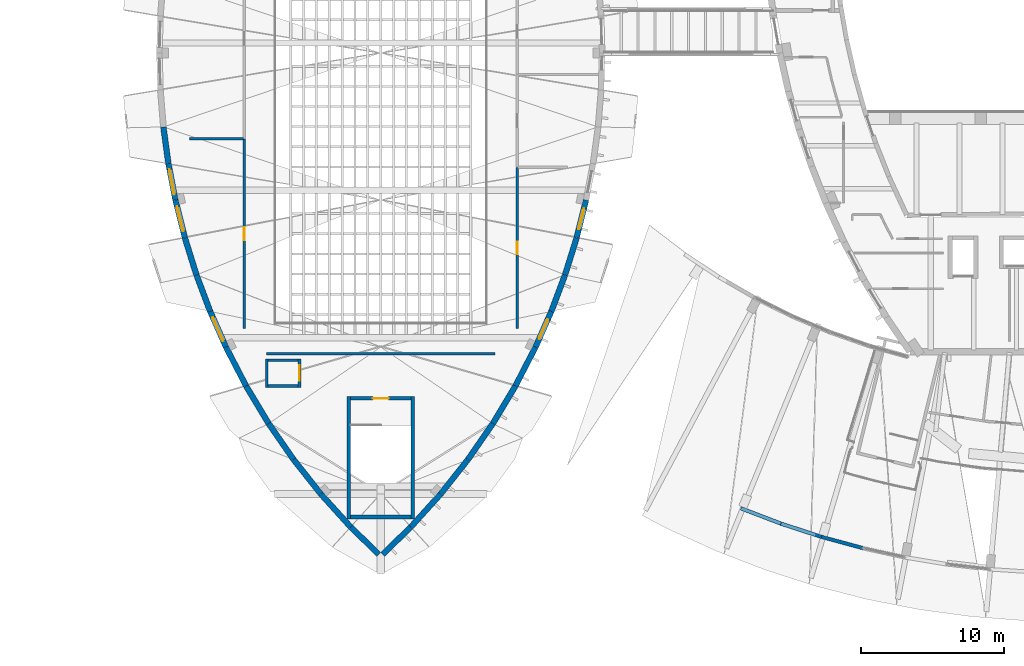
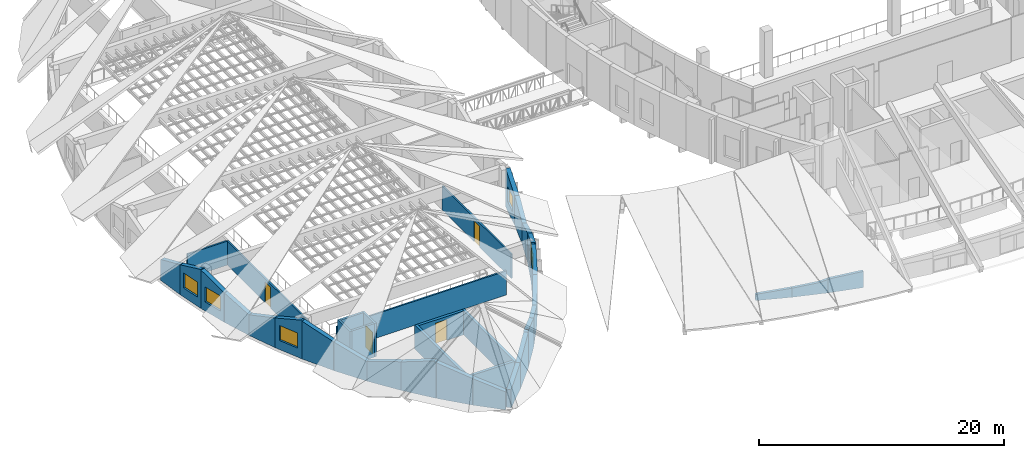
# One storey, part 29 of 56: 37 walls, 5 windows, 4 doors, 9 openings.
"""IFC4 building model written with IfcOpenShell, lengths in metres."""

import ifcopenshell
import ifcopenshell.guid

model = None  # the IFC model being written
_history = None  # IfcOwnerHistory: only IFC2X3 demands one
_inside = {}  # id of a spatial element -> (the spatial element, [elements in it])
_under = {}  # id of a project, library or spatial element -> (it, [spatial elements below it])
_declared = {}  # id of a project -> (the project, [libraries it declares])
_typed = {}  # id of a type object -> (the type object, [elements of that type])
_made_of = {}  # id of a material, layer set ... -> (it, [elements and type objects made of it])


def new_model(schema):
    """Start an empty IFC model of exactly this schema.

    Asked for "IFC4X3", IfcOpenShell would pick the latest addendum, in which some entities
    have other attributes; the version numbers below select the first issue.
    IFC2X3 requires an IfcOwnerHistory on every rooted entity: one is made here for all.
    """
    global model, _history
    if schema == "IFC4X3":
        model = ifcopenshell.file(schema_version=(4, 3, 0, 0))
    else:
        model = ifcopenshell.file(schema=schema)
    _inside.clear()
    _under.clear()
    _declared.clear()
    _typed.clear()
    _made_of.clear()
    _history = None
    if model.schema == "IFC2X3":
        org = make("IfcOrganization", Name="unknown")
        user = make(
            "IfcPersonAndOrganization",
            ThePerson=make("IfcPerson", FamilyName="unknown"),
            TheOrganization=org,
        )
        app = make(
            "IfcApplication",
            ApplicationDeveloper=org,
            Version="unknown",
            ApplicationFullName="unknown",
            ApplicationIdentifier="unknown",
        )
        _history = make(
            "IfcOwnerHistory",
            OwningUser=user,
            OwningApplication=app,
            ChangeAction="ADDED",
            CreationDate=0,
        )
    return model


def make(cls, **values):
    """One entity of the class cls with the attributes given. An attribute that is None is left unset."""
    return model.create_entity(
        cls, **{name: value for name, value in values.items() if value is not None}
    )


def rooted(cls, **values):
    """An entity with a GlobalId (a new one), such as an element, a storey or a relation."""
    return make(cls, GlobalId=ifcopenshell.guid.new(), OwnerHistory=_history, **values)


def si_unit(unit_type, name, prefix=None):
    """IfcSIUnit, for example si_unit("LENGTHUNIT", "METRE", prefix="MILLI")."""
    return make("IfcSIUnit", UnitType=unit_type, Prefix=prefix, Name=name)


def assignment(units):
    """IfcUnitAssignment: the units of a project."""
    return None if units is None else make("IfcUnitAssignment", Units=units)


def point(xyz):
    """IfcCartesianPoint."""
    return None if xyz is None else make("IfcCartesianPoint", Coordinates=xyz)


def direction(xyz):
    """IfcDirection."""
    return None if xyz is None else make("IfcDirection", DirectionRatios=xyz)


def frame(location, z_axis=None, x_axis=None):
    """IfcAxis2Placement3D, a coordinate frame: its origin and axes. An axis left out is left unset."""
    return make(
        "IfcAxis2Placement3D",
        Location=point(location),
        Axis=direction(z_axis),
        RefDirection=direction(x_axis),
    )


def frame_2d(location, x_axis=None):
    """IfcAxis2Placement2D, a coordinate frame in the plane: its origin and x axis."""
    return make(
        "IfcAxis2Placement2D", Location=point(location), RefDirection=direction(x_axis)
    )


def origin():
    """The frame at (0, 0, 0) with its axes left unset."""
    return frame((0.0, 0.0, 0.0))


def place(relative_to, where):
    """IfcLocalPlacement: puts the frame where relative to a parent placement (None: the world)."""
    return make(
        "IfcLocalPlacement", PlacementRelTo=relative_to, RelativePlacement=where
    )


def context(
    kind, dimensions, precision=None, world=None, true_north=None, identifier=None
):
    """IfcGeometricRepresentationContext, for example the 3D "Model" context."""
    return make(
        "IfcGeometricRepresentationContext",
        ContextIdentifier=identifier,
        ContextType=kind,
        CoordinateSpaceDimension=dimensions,
        Precision=precision,
        WorldCoordinateSystem=world,
        TrueNorth=true_north,
    )


def subcontext(parent, identifier, kind, view, scale=None):
    """IfcGeometricRepresentationSubContext, for example "Body" below "Model"."""
    return make(
        "IfcGeometricRepresentationSubContext",
        ContextIdentifier=identifier,
        ContextType=kind,
        ParentContext=parent,
        TargetScale=scale,
        TargetView=view,
    )


def project(units=None, contexts=None):
    """IfcProject with its units and contexts."""
    return rooted(
        "IfcProject",
        Name="project",
        RepresentationContexts=contexts,
        UnitsInContext=assignment(units),
    )


def spatial(cls, under=None, at=None, **own):
    """A site, building, storey or space (cls), placed at a placement, below another one or the project."""
    s = rooted(cls, ObjectPlacement=at, **own)
    if under is not None:
        _under.setdefault(under.id(), (under, []))[1].append(s)
    return s


def polyline(points):
    """IfcPolyline through the points."""
    return make("IfcPolyline", Points=[point(p) for p in points])


def profile(cls, at=None, kind="AREA", **sizes):
    """A parametric profile (cls). Its sizes go by their IFC names, for example OverallWidth=200.0."""
    return make(cls, ProfileType=kind, Position=at, **sizes)


def rectangle(**sizes):
    """IfcRectangleProfileDef."""
    return profile("IfcRectangleProfileDef", **sizes)


def outline(outer, holes=None, kind="AREA"):
    """IfcArbitraryClosedProfileDef: a profile drawn as a closed curve; with holes, ...WithVoids."""
    if holes is None:
        return make("IfcArbitraryClosedProfileDef", ProfileType=kind, OuterCurve=outer)
    return make(
        "IfcArbitraryProfileDefWithVoids",
        ProfileType=kind,
        OuterCurve=outer,
        InnerCurves=holes,
    )


def extrude(swept, where, along, depth):
    """IfcExtrudedAreaSolid: the profile swept, set in the frame where, extruded along a direction by depth."""
    return make(
        "IfcExtrudedAreaSolid",
        SweptArea=swept,
        Position=where,
        ExtrudedDirection=direction(along),
        Depth=depth,
    )


def shape(context_of_items, identifier, shape_type, items):
    """IfcShapeRepresentation: the items that make up one representation, for example the "Body"."""
    return make(
        "IfcShapeRepresentation",
        ContextOfItems=context_of_items,
        RepresentationIdentifier=identifier,
        RepresentationType=shape_type,
        Items=items,
    )


def material(Name=None, Category=None):
    """IfcMaterial."""
    return make("IfcMaterial", Name=Name, Category=Category)


def layer(
    of_material, thickness, ventilated=None, Name=None, Category=None, Priority=None
):
    """IfcMaterialLayer: one layer of a wall or slab, of a material (None: an air gap)."""
    return make(
        "IfcMaterialLayer",
        Material=of_material,
        LayerThickness=thickness,
        IsVentilated=ventilated,
        Name=Name,
        Category=Category,
        Priority=Priority,
    )


def layer_set(layers, Name=None):
    """IfcMaterialLayerSet."""
    return make("IfcMaterialLayerSet", MaterialLayers=layers, LayerSetName=Name)


def made_of(thing, what):
    """Note that an element or type object is made of a material, layer set ...; save() writes the relation."""
    if what is not None:
        _made_of.setdefault(what.id(), (what, []))[1].append(thing)
    return thing


def type_object(cls, material=None, **own):
    """A type object (cls), such as IfcWallType, which elements share."""
    return made_of(rooted(cls, **own), material)


def element(
    cls,
    number,
    at=None,
    inside=None,
    cuts=None,
    type_object=None,
    material=None,
    context=None,
    identifier="Body",
    shape_type=None,
    held_by="IfcProductDefinitionShape",
    body=None,
    shapes=None,
    **own,
):
    """One element of the class cls, such as IfcWall. Its Tag is "e" and its number.

    at: its placement. inside: the storey or other place that contains it. cuts: it is an
    opening in that element (IfcRelVoidsElement). A single representation is given by context,
    identifier, shape_type and body (its items); several are given by shapes. held_by: the class
    of the entity that holds the representations. save() writes the other relations.
    """
    e = rooted(cls, Tag="e%d" % number, ObjectPlacement=at, **own)
    if body is not None:
        shapes = [shape(context, identifier, shape_type, body)]
    if shapes is not None:
        e.Representation = make(held_by, Representations=shapes)
    if inside is not None:
        _inside.setdefault(inside.id(), (inside, []))[1].append(e)
    if cuts is not None:
        rooted(
            "IfcRelVoidsElement", RelatingBuildingElement=cuts, RelatedOpeningElement=e
        )
    if type_object is not None:
        _typed.setdefault(type_object.id(), (type_object, []))[1].append(e)
    return made_of(e, material)


def fill(opening, filler):
    """IfcRelFillsElement: the door or window that sits in an opening."""
    return rooted(
        "IfcRelFillsElement",
        RelatingOpeningElement=opening,
        RelatedBuildingElement=filler,
    )


def aggregate(whole, parts):
    """IfcRelAggregates: a whole, such as a stair, and the parts it consists of."""
    return rooted("IfcRelAggregates", RelatingObject=whole, RelatedObjects=parts)


def save(model, path):
    """Write the relations noted so far, then the file.

    IfcRelAggregates (storeys below a building ...), IfcRelContainedInSpatialStructure (elements
    in a storey), IfcRelDefinesByType, IfcRelAssociatesMaterial and IfcRelDeclares: one each for
    every whole, place, type object, material and project.
    """
    for whole, parts in _under.values():
        aggregate(whole, parts)
    for where, things in _inside.values():
        rooted(
            "IfcRelContainedInSpatialStructure",
            RelatedElements=things,
            RelatingStructure=where,
        )
    for kind, things in _typed.values():
        rooted("IfcRelDefinesByType", RelatedObjects=things, RelatingType=kind)
    for what, things in _made_of.values():
        rooted("IfcRelAssociatesMaterial", RelatedObjects=things, RelatingMaterial=what)
    for by, libraries in _declared.values():
        rooted("IfcRelDeclares", RelatingContext=by, RelatedDefinitions=libraries)
    model.write(path)


model = new_model("IFC4")

# Units and contexts
model_context = context("Model", 3, precision=1e-05, world=origin(), true_north=direction((0.0, 1.0)))
body_context = subcontext(model_context, "Body", "Model", "MODEL_VIEW")
ifc_project = project(units=[si_unit("LENGTHUNIT", "METRE"), si_unit("AREAUNIT", "SQUARE_METRE"), si_unit("VOLUMEUNIT", "CUBIC_METRE"), si_unit("PLANEANGLEUNIT", "RADIAN"), si_unit("MASSUNIT", "GRAM", prefix="KILO")], contexts=[model_context])

# Site, building, storey
site_placement = place(None, origin())
site = spatial("IfcSite", under=ifc_project, at=site_placement, CompositionType="ELEMENT")
building_placement = place(site_placement, origin())
building = spatial("IfcBuilding", under=site, at=building_placement, Name="Tide Square Theatres", CompositionType="ELEMENT")
storey_placement = place(building_placement, frame((0.0, 0.0, 10.199951171875)))
storey = spatial("IfcBuildingStorey", under=building, at=storey_placement, Name="L02", CompositionType="ELEMENT", Elevation=10.199951171875)

# Wall
ifc_material_1 = material(Name="Gypsum board on steel studs", Category="steel")
ifc_layer_1 = layer(ifc_material_1, 0.14990234375)
ifc_layer_set_1 = layer_set([ifc_layer_1], Name="Gypsum board on steel studs")
wall_type_1 = type_object("IfcWallType", Name="Partition 150 thick", PredefinedType="PARTITIONING", material=ifc_layer_set_1)
wall_1_placement = place(storey_placement, frame((43.97998046875, 23.449951171875, 0.0), z_axis=(0.0, 0.0, 1.0), x_axis=(-1.0, 0.0, 0.0)))
element("IfcWall", 1, at=wall_1_placement, inside=storey, type_object=wall_type_1, Name="Studio Theatre partition", PredefinedType="PARTITIONING", context=body_context, shape_type="SweptSolid", body=[
    extrude(rectangle(XDim=15.9599609375, YDim=0.14990234375, at=frame_2d((7.97998046875, 0.0))), origin(), (0.0, 0.0, 1.0), 2.400146484375),
])

# Wall, opening, door
wall_2_placement = place(storey_placement, frame((26.449951171875, 25.214599609375, 0.0), z_axis=(0.0, 0.0, 1.0), x_axis=(0.0, 1.0, 0.0)))
wall_2 = element("IfcWall", 2, at=wall_2_placement, inside=storey, type_object=wall_type_1, Name="Studio Theatre partition", PredefinedType="PARTITIONING", context=body_context, shape_type="SweptSolid", body=[
    extrude(rectangle(XDim=13.265380859375, YDim=0.14990234375, at=frame_2d((6.6328125, 0.0))), origin(), (0.0, 0.0, 1.0), 2.400146484375),
])
opening_1_placement = place(wall_2_placement, frame((6.1826171875, 0.0, 0.0)))
opening_1 = element("IfcOpeningElement", 3, at=opening_1_placement, cuts=wall_2, Name="Opening S02-02", PredefinedType="OPENING", context=body_context, shape_type="SweptSolid", body=[
    extrude(rectangle(XDim=0.89990234375, YDim=2.10009765625, at=frame_2d((0.449951171875, 1.050048828125))), frame((0.0, 0.0849609375, 0.0), z_axis=(0.0, -1.0, 0.0), x_axis=(1.0, 0.0, 0.0)), (0.0, 0.0, 1.0), 0.169921875),
])
ifc_material_2 = material(Name="Hardwood timber", Category="wood")
door_type_1 = type_object("IfcDoorType", Name="Door 900 x 2100 single leaf", OperationType="NOTDEFINED", PredefinedType="DOOR", material=ifc_material_2)
door_1_placement = place(opening_1_placement, origin())
door_1 = element("IfcDoor", 4, at=door_1_placement, inside=storey, type_object=door_type_1, Name="Learning Studio 03 door", OperationType="SINGLE_SWING_RIGHT", OverallHeight=2.10009765625, OverallWidth=0.89990234375, PredefinedType="DOOR", context=body_context, shape_type="SweptSolid", body=[
    extrude(rectangle(XDim=0.89990234375, YDim=2.10009765625, at=frame_2d((0.449951171875, 1.050048828125))), frame((0.0, 0.02490234375, 0.0), z_axis=(0.0, -1.0, 0.0), x_axis=(1.0, 0.0, 0.0)), (0.0, 0.0, 1.0), 0.050048828125),
])
fill(opening_1, door_1)

wall_3_placement = place(storey_placement, frame((45.550048828125, 36.47998046875, 0.0), z_axis=(0.0, 0.0, 1.0), x_axis=(0.0, -1.0, 0.0)))
wall_3 = element("IfcWall", 5, at=wall_3_placement, inside=storey, type_object=wall_type_1, Name="Studio Theatre partition", PredefinedType="PARTITIONING", context=body_context, shape_type="SweptSolid", body=[
    extrude(rectangle(XDim=11.265380859375, YDim=0.14990234375, at=frame_2d((5.6328125, 0.0))), origin(), (0.0, 0.0, 1.0), 2.400146484375),
])
opening_2_placement = place(wall_3_placement, frame((5.1826171875, 0.0, 0.0)))
opening_2 = element("IfcOpeningElement", 6, at=opening_2_placement, cuts=wall_3, Name="Opening S02-05", PredefinedType="OPENING", context=body_context, shape_type="SweptSolid", body=[
    extrude(rectangle(XDim=0.89990234375, YDim=2.10009765625, at=frame_2d((0.449951171875, 1.050048828125))), frame((0.0, 0.0849609375, 0.0), z_axis=(0.0, -1.0, 0.0), x_axis=(1.0, 0.0, 0.0)), (0.0, 0.0, 1.0), 0.169921875),
])
door_2_placement = place(opening_2_placement, origin())
door_2 = element("IfcDoor", 7, at=door_2_placement, inside=storey, type_object=door_type_1, Name="Costume Room door", OperationType="SINGLE_SWING_RIGHT", OverallHeight=2.10009765625, OverallWidth=0.89990234375, PredefinedType="DOOR", context=body_context, shape_type="SweptSolid", body=[
    extrude(rectangle(XDim=0.89990234375, YDim=2.10009765625, at=frame_2d((0.449951171875, 1.050048828125))), frame((0.0, 0.02490234375, 0.0), z_axis=(0.0, -1.0, 0.0), x_axis=(1.0, 0.0, 0.0)), (0.0, 0.0, 1.0), 0.050048828125),
])
fill(opening_2, door_2)

# Walls
wall_4_placement = place(storey_placement, frame((22.615966796875, 38.5, 0.0), z_axis=(0.0, 0.0, 1.0), x_axis=(1.0, 0.0, 0.0)))
element("IfcWall", 8, at=wall_4_placement, inside=storey, type_object=wall_type_1, Name="Studio Theatre partition", PredefinedType="PARTITIONING", context=body_context, shape_type="SweptSolid", body=[
    extrude(rectangle(XDim=3.77392578125, YDim=0.14990234375, at=frame_2d((1.886962890625, 0.0))), origin(), (0.0, 0.0, 1.0), 2.400146484375),
])
ifc_material_3 = material(Name="Concrete C40", Category="concrete")
ifc_layer_2 = layer(ifc_material_3, 0.39990234375)
ifc_layer_set_2 = layer_set([ifc_layer_2], Name="Concrete C40")
wall_type_2 = type_object("IfcWallType", Name="RC curved wall 400 thick", PredefinedType="SOLIDWALL", material=ifc_layer_set_2)
wall_5_placement = place(storey_placement, frame((36.139404296875, 9.414306640625, 0.0), z_axis=(0.0, 0.0, 1.0), x_axis=(0.717243568607, 0.696822547922, 0.0)))
element("IfcWall", 9, at=wall_5_placement, inside=storey, type_object=wall_type_2, Name="Studio Theatre perimeter wall", PredefinedType="SOLIDWALL", context=body_context, shape_type="SweptSolid", body=[
    extrude(outline(polyline([(0.0, 0.0), (2.725830078125, 0.0), (2.725830078125, 2.64111328125), (0.130615234375, 1.843017578125), (0.0, 1.802734375), (0.0, 0.0)])), frame((0.0, 0.199951171875, 0.0), z_axis=(0.0, -1.0, 0.0), x_axis=(1.0, 0.0, 0.0)), (0.0, 0.0, 1.0), 0.39990234375),
])
wall_6_placement = place(storey_placement, frame((38.103515625, 11.322998046875, 0.0), z_axis=(0.0, 0.0, 1.0), x_axis=(0.67038553216, 0.742012963681, 0.0)))
element("IfcWall", 10, at=wall_6_placement, inside=storey, type_object=wall_type_2, Name="Studio Theatre perimeter wall", PredefinedType="SOLIDWALL", context=body_context, shape_type="SweptSolid", body=[
    extrude(outline(polyline([(0.0, 0.0), (3.101806640625, 0.0), (3.1015625, 3.546142578125), (2.919677734375, 3.49365234375), (2.739013671875, 3.44140625), (0.0, 2.64990234375), (0.0, 0.0)])), frame((0.0, 0.199951171875, 0.0), z_axis=(0.0, -1.0, 0.0), x_axis=(1.0, 0.0, 0.0)), (0.0, 0.0, 1.0), 0.39990234375),
])
wall_7_placement = place(storey_placement, frame((40.191162109375, 13.63427734375, 0.0), z_axis=(0.0, 0.0, 1.0), x_axis=(0.620958553355, 0.783843399548, 0.0)))
element("IfcWall", 11, at=wall_7_placement, inside=storey, type_object=wall_type_2, Name="Studio Theatre perimeter wall", PredefinedType="SOLIDWALL", context=body_context, shape_type="SweptSolid", body=[
    extrude(outline(polyline([(0.0, 0.0), (3.0576171875, 0.0), (3.0576171875, 2.844482421875), (2.718505859375, 2.94384765625), (0.330322265625, 3.643798828125), (0.171875, 3.690185546875), (0.0, 3.557373046875), (0.0, 0.0)])), frame((0.0, 0.199951171875, 0.0), z_axis=(0.0, -1.0, 0.0), x_axis=(1.0, 0.0, 0.0)), (0.0, 0.0, 1.0), 0.39990234375),
])
wall_8_placement = place(storey_placement, frame((42.09765625, 16.04150390625, 0.0), z_axis=(0.0, 0.0, 1.0), x_axis=(0.569371892655, 0.822080073871, 0.0)))
element("IfcWall", 12, at=wall_8_placement, inside=storey, type_object=wall_type_2, Name="Studio Theatre perimeter wall", PredefinedType="SOLIDWALL", context=body_context, shape_type="SweptSolid", body=[
    extrude(outline(polyline([(0.0, 0.0), (3.0576171875, 0.0), (3.057861328125, 1.9677734375), (2.59619140625, 2.10302734375), (0.29296875, 2.76904296875), (0.0, 2.837646484375), (0.0, 0.0)])), frame((0.0, 0.199951171875, 0.0), z_axis=(0.0, -1.0, 0.0), x_axis=(1.0, 0.0, 0.0)), (0.0, 0.0, 1.0), 0.39990234375),
])
wall_9_placement = place(storey_placement, frame((43.845703125, 18.56591796875, 0.0), z_axis=(0.0, 0.0, 1.0), x_axis=(0.515387841983, 0.856957042293, 0.0)))
element("IfcWall", 13, at=wall_9_placement, inside=storey, type_object=wall_type_2, Name="Studio Theatre perimeter wall", PredefinedType="SOLIDWALL", context=body_context, shape_type="SweptSolid", body=[
    extrude(outline(polyline([(0.0, 0.0), (3.057861328125, 0.0), (3.057861328125, 2.84326171875), (3.010986328125, 2.82958984375), (0.0, 1.96435546875), (0.0, 0.0)])), frame((0.0, 0.199951171875, 0.0), z_axis=(0.0, -1.0, 0.0), x_axis=(1.0, 0.0, 0.0)), (0.0, 0.0, 1.0), 0.39990234375),
])
wall_10_placement = place(storey_placement, frame((45.427978515625, 21.197509765625, 0.0), z_axis=(0.0, 0.0, 1.0), x_axis=(0.45930565039, 0.888278289457, 0.0)))
element("IfcWall", 14, at=wall_10_placement, inside=storey, type_object=wall_type_2, Name="Studio Theatre perimeter wall", PredefinedType="SOLIDWALL", context=body_context, shape_type="SweptSolid", body=[
    extrude(outline(polyline([(0.0, 0.0), (3.05859375, 0.0), (3.05859375, 3.75390625), (2.94970703125, 3.72216796875), (2.846435546875, 3.691650390625), (0.0, 2.85107421875), (0.0, 0.0)])), frame((0.0, 0.199951171875, 0.0), z_axis=(0.0, -1.0, 0.0), x_axis=(1.0, 0.0, 0.0)), (0.0, 0.0, 1.0), 0.39990234375),
])

# Wall, opening, window
wall_11_placement = place(storey_placement, frame((46.837890625, 23.92529296875, 0.0), z_axis=(0.0, 0.0, 1.0), x_axis=(0.404652153757, 0.914470685402, 0.0)))
wall_11 = element("IfcWall", 15, at=wall_11_placement, inside=storey, type_object=wall_type_2, Name="Studio Theatre perimeter wall", PredefinedType="SOLIDWALL", context=body_context, shape_type="SweptSolid", body=[
    extrude(outline(polyline([(0.0, 0.0), (2.7138671875, 0.0), (2.713623046875, 2.954833984375), (2.57568359375, 3.000244140625), (0.194091796875, 3.786865234375), (0.10546875, 3.816162109375), (0.0, 3.7626953125), (0.0, 0.0)])), frame((0.0, 0.199951171875, 0.0), z_axis=(0.0, -1.0, 0.0), x_axis=(1.0, 0.0, 0.0)), (0.0, 0.0, 1.0), 0.39990234375),
])
opening_3_placement = place(wall_11_placement, frame((0.606689453125, 0.0, 0.89990234375)))
opening_3 = element("IfcOpeningElement", 16, at=opening_3_placement, cuts=wall_11, Name="Opening WN-08", PredefinedType="OPENING", context=body_context, shape_type="SweptSolid", body=[
    extrude(rectangle(XDim=1.5, YDim=1.5, at=frame_2d((0.75, 0.75))), frame((0.0, 0.2099609375, 0.0), z_axis=(0.0, -1.0, 0.0), x_axis=(1.0, 0.0, 0.0)), (0.0, 0.0, 1.0), 0.419921875),
])
ifc_material_4 = material(Name="Aluminium with laminated glass", Category="aluminium")
window_type_1 = type_object("IfcWindowType", Name="Window 1500 x 1500", PartitioningType="SINGLE_PANEL", PredefinedType="WINDOW", material=ifc_material_4)
window_1_placement = place(opening_3_placement, origin())
window_1 = element("IfcWindow", 17, at=window_1_placement, inside=storey, type_object=window_type_1, Name="Studio Theatre Costume Room window", OverallHeight=1.5, OverallWidth=1.5, PartitioningType="SINGLE_PANEL", PredefinedType="WINDOW", context=body_context, shape_type="SweptSolid", body=[
    extrude(rectangle(XDim=1.5, YDim=1.5, at=frame_2d((0.75, 0.75))), frame((0.0, 0.030029296875, 0.0), z_axis=(0.0, -1.0, 0.0), x_axis=(1.0, 0.0, 0.0)), (0.0, 0.0, 1.0), 0.06005859375),
])
fill(opening_3, window_1)

# Walls
wall_12_placement = place(storey_placement, frame((47.9404296875, 26.41748046875, 0.0), z_axis=(0.0, 0.0, 1.0), x_axis=(0.351862601417, 0.936051659752, 0.0)))
element("IfcWall", 18, at=wall_12_placement, inside=storey, type_object=wall_type_2, Name="Studio Theatre perimeter wall", PredefinedType="SOLIDWALL", context=body_context, shape_type="SweptSolid", body=[
    extrude(outline(polyline([(0.0, 0.0), (2.71435546875, 0.0), (2.71435546875, 2.055419921875), (2.540283203125, 2.11279296875), (0.12109375, 2.91162109375), (0.0, 2.947509765625), (0.0, 0.0)])), frame((0.0, 0.199951171875, 0.0), z_axis=(0.0, -1.0, 0.0), x_axis=(1.0, 0.0, 0.0)), (0.0, 0.0, 1.0), 0.39990234375),
])
wall_13_placement = place(storey_placement, frame((48.899169921875, 28.968994140625, 0.0), z_axis=(0.0, 0.0, 1.0), x_axis=(0.29795748067, 0.954579142718, 0.0)))
element("IfcWall", 19, at=wall_13_placement, inside=storey, type_object=wall_type_2, Name="Studio Theatre perimeter wall", PredefinedType="SOLIDWALL", context=body_context, shape_type="SweptSolid", body=[
    extrude(outline(polyline([(0.0, 0.0), (2.714599609375, 0.0), (2.71435546875, 2.9296875), (2.697509765625, 2.924072265625), (0.0, 2.0517578125), (0.0, 0.0)])), frame((0.0, 0.199951171875, 0.0), z_axis=(0.0, -1.0, 0.0), x_axis=(1.0, 0.0, 0.0)), (0.0, 0.0, 1.0), 0.39990234375),
])

# Wall, opening, window
wall_14_placement = place(storey_placement, frame((49.7109375, 31.5712890625, 0.0), z_axis=(0.0, 0.0, 1.0), x_axis=(0.2430011368, 0.970026003525, 0.0)))
wall_14 = element("IfcWall", 20, at=wall_14_placement, inside=storey, type_object=wall_type_2, Name="Studio Theatre perimeter wall", PredefinedType="SOLIDWALL", context=body_context, shape_type="SweptSolid", body=[
    extrude(outline(polyline([(0.0, 0.0), (2.714599609375, 0.0), (2.714599609375, 3.836181640625), (2.68701171875, 3.8271484375), (2.636962890625, 3.810546875), (2.5869140625, 3.7939453125), (0.0, 2.9375), (0.0, 0.0)])), frame((0.0, 0.199951171875, 0.0), z_axis=(0.0, -1.0, 0.0), x_axis=(1.0, 0.0, 0.0)), (0.0, 0.0, 1.0), 0.39990234375),
])
opening_4_placement = place(wall_14_placement, frame((0.607421875, 0.0, 0.89990234375)))
opening_4 = element("IfcOpeningElement", 21, at=opening_4_placement, cuts=wall_14, Name="Opening WN-08", PredefinedType="OPENING", context=body_context, shape_type="SweptSolid", body=[
    extrude(rectangle(XDim=1.5, YDim=1.5, at=frame_2d((0.75, 0.75))), frame((0.0, 0.2099609375, 0.0), z_axis=(0.0, -1.0, 0.0), x_axis=(1.0, 0.0, 0.0)), (0.0, 0.0, 1.0), 0.419921875),
])
window_2_placement = place(opening_4_placement, origin())
window_2 = element("IfcWindow", 22, at=window_2_placement, inside=storey, type_object=window_type_1, Name="Studio Theatre Costume Room window", OverallHeight=1.5, OverallWidth=1.5, PartitioningType="SINGLE_PANEL", PredefinedType="WINDOW", context=body_context, shape_type="SweptSolid", body=[
    extrude(rectangle(XDim=1.5, YDim=1.5, at=frame_2d((0.75, 0.75))), frame((0.0, 0.030029296875, 0.0), z_axis=(0.0, -1.0, 0.0), x_axis=(1.0, 0.0, 0.0)), (0.0, 0.0, 1.0), 0.06005859375),
])
fill(opening_4, window_2)

# Wall
wall_15_placement = place(storey_placement, frame((20.788818359375, 39.319091796875, 0.0), z_axis=(0.0, 0.0, 1.0), x_axis=(0.13522291824, -0.990815200924, 0.0)))
element("IfcWall", 23, at=wall_15_placement, inside=storey, type_object=wall_type_2, Name="Studio Theatre perimeter wall", PredefinedType="SOLIDWALL", context=body_context, shape_type="SweptSolid", body=[
    extrude(outline(polyline([(0.0, 0.0), (2.581787109375, 0.0), (2.581787109375, 2.9765625), (2.524169921875, 2.957275390625), (0.09375, 2.113525390625), (0.0, 2.0810546875), (0.0, 0.0)])), frame((0.0, 0.199951171875, 0.0), z_axis=(0.0, -1.0, 0.0), x_axis=(1.0, 0.0, 0.0)), (0.0, 0.0, 1.0), 0.39990234375),
])

# Wall, opening, window
wall_16_placement = place(storey_placement, frame((21.1396484375, 36.75048828125, 0.0), z_axis=(0.0, 0.0, 1.0), x_axis=(0.188763210152, -0.982022632373, 0.0)))
wall_16 = element("IfcWall", 24, at=wall_16_placement, inside=storey, type_object=wall_type_2, Name="Studio Theatre perimeter wall", PredefinedType="SOLIDWALL", context=body_context, shape_type="SweptSolid", body=[
    extrude(outline(polyline([(0.0, 0.0), (2.58154296875, 0.0), (2.581298828125, 3.844970703125), (2.543212890625, 3.86669921875), (2.46630859375, 3.840087890625), (0.06982421875, 3.008056640625), (0.0, 2.98388671875), (0.0, 0.0)])), frame((0.0, 0.199951171875, 0.0), z_axis=(0.0, -1.0, 0.0), x_axis=(1.0, 0.0, 0.0)), (0.0, 0.0, 1.0), 0.39990234375),
])
opening_5_placement = place(wall_16_placement, frame((0.390625, 0.0, 0.89990234375)))
opening_5 = element("IfcOpeningElement", 25, at=opening_5_placement, cuts=wall_16, Name="Opening WN-15", PredefinedType="OPENING", context=body_context, shape_type="SweptSolid", body=[
    extrude(rectangle(XDim=1.800048828125, YDim=1.5, at=frame_2d((0.89990234375, 0.75))), frame((0.0, 0.2099609375, 0.0), z_axis=(0.0, -1.0, 0.0), x_axis=(1.0, 0.0, 0.0)), (0.0, 0.0, 1.0), 0.419921875),
])
ifc_material_5 = material(Name="Aluminium with laminated glass", Category="aluminium")
window_type_2 = type_object("IfcWindowType", Name="Window 1800 x 1500", PartitioningType="DOUBLE_PANEL_VERTICAL", PredefinedType="WINDOW", material=ifc_material_5)
window_3_placement = place(opening_5_placement, origin())
window_3 = element("IfcWindow", 26, at=window_3_placement, inside=storey, type_object=window_type_2, Name="Studio Theatre Learning Studio 03 window", OverallHeight=1.5, OverallWidth=1.800048828125, PartitioningType="SINGLE_PANEL", PredefinedType="WINDOW", context=body_context, shape_type="SweptSolid", body=[
    extrude(rectangle(XDim=1.800048828125, YDim=1.5, at=frame_2d((0.89990234375, 0.75))), frame((0.0, 0.030029296875, 0.0), z_axis=(0.0, -1.0, 0.0), x_axis=(1.0, 0.0, 0.0)), (0.0, 0.0, 1.0), 0.06005859375),
])
fill(opening_5, window_3)

wall_17_placement = place(storey_placement, frame((21.62939453125, 34.20458984375, 0.0), z_axis=(0.0, 0.0, 1.0), x_axis=(0.2430011368, -0.970026003525, 0.0)))
wall_17 = element("IfcWall", 27, at=wall_17_placement, inside=storey, type_object=wall_type_2, Name="Studio Theatre perimeter wall", PredefinedType="SOLIDWALL", context=body_context, shape_type="SweptSolid", body=[
    extrude(outline(polyline([(0.0, 0.0), (2.714599609375, 0.0), (2.714599609375, 2.938720703125), (0.127685546875, 3.7939453125), (0.07763671875, 3.810546875), (0.0, 3.836181640625), (0.0, 0.0)])), frame((0.0, 0.199951171875, 0.0), z_axis=(0.0, -1.0, 0.0), x_axis=(1.0, 0.0, 0.0)), (0.0, 0.0, 1.0), 0.39990234375),
])
opening_6_placement = place(wall_17_placement, frame((0.45751953125, 0.0, 0.89990234375)))
opening_6 = element("IfcOpeningElement", 28, at=opening_6_placement, cuts=wall_17, Name="Opening WN-15", PredefinedType="OPENING", context=body_context, shape_type="SweptSolid", body=[
    extrude(rectangle(XDim=1.800048828125, YDim=1.5, at=frame_2d((0.89990234375, 0.75))), frame((0.0, 0.2099609375, 0.0), z_axis=(0.0, -1.0, 0.0), x_axis=(1.0, 0.0, 0.0)), (0.0, 0.0, 1.0), 0.419921875),
])
window_4_placement = place(opening_6_placement, origin())
window_4 = element("IfcWindow", 29, at=window_4_placement, inside=storey, type_object=window_type_2, Name="Studio Theatre Learning Studio 03 window", OverallHeight=1.5, OverallWidth=1.800048828125, PartitioningType="SINGLE_PANEL", PredefinedType="WINDOW", context=body_context, shape_type="SweptSolid", body=[
    extrude(rectangle(XDim=1.800048828125, YDim=1.5, at=frame_2d((0.89990234375, 0.75))), frame((0.0, 0.030029296875, 0.0), z_axis=(0.0, -1.0, 0.0), x_axis=(1.0, 0.0, 0.0)), (0.0, 0.0, 1.0), 0.06005859375),
])
fill(opening_6, window_4)

# Walls
wall_18_placement = place(storey_placement, frame((22.2919921875, 31.560302734375, 0.0), z_axis=(0.0, 0.0, 1.0), x_axis=(0.29795748067, -0.954579142718, 0.0)))
element("IfcWall", 30, at=wall_18_placement, inside=storey, type_object=wall_type_2, Name="Studio Theatre perimeter wall", PredefinedType="SOLIDWALL", context=body_context, shape_type="SweptSolid", body=[
    extrude(outline(polyline([(0.0, 0.0), (2.714599609375, 0.0), (2.71435546875, 2.04833984375), (2.702392578125, 2.044677734375), (0.0, 2.9296875), (0.0, 0.0)])), frame((0.0, 0.199951171875, 0.0), z_axis=(0.0, -1.0, 0.0), x_axis=(1.0, 0.0, 0.0)), (0.0, 0.0, 1.0), 0.39990234375),
])
wall_19_placement = place(storey_placement, frame((23.1044921875, 28.958251953125, 0.0), z_axis=(0.0, 0.0, 1.0), x_axis=(0.351862601417, -0.936051659752, 0.0)))
element("IfcWall", 31, at=wall_19_placement, inside=storey, type_object=wall_type_2, Name="Studio Theatre perimeter wall", PredefinedType="SOLIDWALL", context=body_context, shape_type="SweptSolid", body=[
    extrude(outline(polyline([(0.0, 0.0), (2.71435546875, 0.0), (2.71435546875, 2.947509765625), (2.59326171875, 2.91162109375), (0.174072265625, 2.11279296875), (0.0, 2.055419921875), (0.0, 0.0)])), frame((0.0, 0.199951171875, 0.0), z_axis=(0.0, -1.0, 0.0), x_axis=(1.0, 0.0, 0.0)), (0.0, 0.0, 1.0), 0.39990234375),
])

# Wall, opening, window
wall_20_placement = place(storey_placement, frame((24.06396484375, 26.406982421875, 0.0), z_axis=(0.0, 0.0, 1.0), x_axis=(0.404652153757, -0.914470685402, 0.0)))
wall_20 = element("IfcWall", 32, at=wall_20_placement, inside=storey, type_object=wall_type_2, Name="Studio Theatre perimeter wall", PredefinedType="SOLIDWALL", context=body_context, shape_type="SweptSolid", body=[
    extrude(outline(polyline([(0.0, 0.0), (2.7138671875, 0.0), (2.713623046875, 3.76171875), (2.69677734375, 3.767333984375), (2.608154296875, 3.816162109375), (2.519775390625, 3.786865234375), (0.1376953125, 3.000244140625), (0.0, 2.954833984375), (0.0, 0.0)])), frame((0.0, 0.199951171875, 0.0), z_axis=(0.0, -1.0, 0.0), x_axis=(1.0, 0.0, 0.0)), (0.0, 0.0, 1.0), 0.39990234375),
])
opening_7_placement = place(wall_20_placement, frame((0.456787109375, 0.0, 0.89990234375)))
opening_7 = element("IfcOpeningElement", 33, at=opening_7_placement, cuts=wall_20, Name="Opening WN-15", PredefinedType="OPENING", context=body_context, shape_type="SweptSolid", body=[
    extrude(rectangle(XDim=1.800048828125, YDim=1.5, at=frame_2d((0.89990234375, 0.75))), frame((0.0, 0.2099609375, 0.0), z_axis=(0.0, -1.0, 0.0), x_axis=(1.0, 0.0, 0.0)), (0.0, 0.0, 1.0), 0.419921875),
])
window_5_placement = place(opening_7_placement, origin())
window_5 = element("IfcWindow", 34, at=window_5_placement, inside=storey, type_object=window_type_2, Name="Studio Theatre Learning Studio 03 window", OverallHeight=1.5, OverallWidth=1.800048828125, PartitioningType="SINGLE_PANEL", PredefinedType="WINDOW", context=body_context, shape_type="SweptSolid", body=[
    extrude(rectangle(XDim=1.800048828125, YDim=1.5, at=frame_2d((0.89990234375, 0.75))), frame((0.0, 0.030029296875, 0.0), z_axis=(0.0, -1.0, 0.0), x_axis=(1.0, 0.0, 0.0)), (0.0, 0.0, 1.0), 0.06005859375),
])
fill(opening_7, window_5)

# Walls
wall_21_placement = place(storey_placement, frame((25.167236328125, 23.914306640625, 0.0), z_axis=(0.0, 0.0, 1.0), x_axis=(0.45930565039, -0.888278289457, 0.0)))
element("IfcWall", 35, at=wall_21_placement, inside=storey, type_object=wall_type_2, Name="Studio Theatre perimeter wall", PredefinedType="SOLIDWALL", context=body_context, shape_type="SweptSolid", body=[
    extrude(outline(polyline([(0.0, 0.0), (3.05859375, 0.0), (3.05859375, 2.85205078125), (3.025390625, 2.8671875), (0.212158203125, 3.691650390625), (0.108642578125, 3.72216796875), (0.0, 3.75390625), (0.0, 0.0)])), frame((0.0, 0.199951171875, 0.0), z_axis=(0.0, -1.0, 0.0), x_axis=(1.0, 0.0, 0.0)), (0.0, 0.0, 1.0), 0.39990234375),
])
wall_22_placement = place(storey_placement, frame((26.578369140625, 21.186279296875, 0.0), z_axis=(0.0, 0.0, 1.0), x_axis=(0.515387841983, -0.856957042293, 0.0)))
element("IfcWall", 36, at=wall_22_placement, inside=storey, type_object=wall_type_2, Name="Studio Theatre perimeter wall", PredefinedType="SOLIDWALL", context=body_context, shape_type="SweptSolid", body=[
    extrude(outline(polyline([(0.0, 0.0), (3.057861328125, 0.0), (3.057861328125, 1.9580078125), (3.046875, 1.9501953125), (0.046875, 2.82958984375), (0.0, 2.84326171875), (0.0, 0.0)])), frame((0.0, 0.199951171875, 0.0), z_axis=(0.0, -1.0, 0.0), x_axis=(1.0, 0.0, 0.0)), (0.0, 0.0, 1.0), 0.39990234375),
])
wall_23_placement = place(storey_placement, frame((28.161376953125, 18.55517578125, 0.0), z_axis=(0.0, 0.0, 1.0), x_axis=(0.569371892655, -0.822080073871, 0.0)))
element("IfcWall", 37, at=wall_23_placement, inside=storey, type_object=wall_type_2, Name="Studio Theatre perimeter wall", PredefinedType="SOLIDWALL", context=body_context, shape_type="SweptSolid", body=[
    extrude(outline(polyline([(0.0, 0.0), (3.0576171875, 0.0), (3.057861328125, 2.837646484375), (2.764892578125, 2.76904296875), (0.4619140625, 2.10302734375), (0.0, 1.9677734375), (0.0, 0.0)])), frame((0.0, 0.199951171875, 0.0), z_axis=(0.0, -1.0, 0.0), x_axis=(1.0, 0.0, 0.0)), (0.0, 0.0, 1.0), 0.39990234375),
])
wall_24_placement = place(storey_placement, frame((29.91015625, 16.031005859375, 0.0), z_axis=(0.0, 0.0, 1.0), x_axis=(0.620958553355, -0.783843399548, 0.0)))
element("IfcWall", 38, at=wall_24_placement, inside=storey, type_object=wall_type_2, Name="Studio Theatre perimeter wall", PredefinedType="SOLIDWALL", context=body_context, shape_type="SweptSolid", body=[
    extrude(outline(polyline([(0.0, 0.0), (3.0576171875, 0.0), (3.0576171875, 3.554931640625), (3.044189453125, 3.56005859375), (2.885986328125, 3.690185546875), (2.727294921875, 3.643798828125), (0.339111328125, 2.94384765625), (0.0, 2.844482421875), (0.0, 0.0)])), frame((0.0, 0.199951171875, 0.0), z_axis=(0.0, -1.0, 0.0), x_axis=(1.0, 0.0, 0.0)), (0.0, 0.0, 1.0), 0.39990234375),
])
wall_25_placement = place(storey_placement, frame((31.817138671875, 13.62451171875, 0.0), z_axis=(0.0, 0.0, 1.0), x_axis=(0.67038553216, -0.742012963681, 0.0)))
element("IfcWall", 39, at=wall_25_placement, inside=storey, type_object=wall_type_2, Name="Studio Theatre perimeter wall", PredefinedType="SOLIDWALL", context=body_context, shape_type="SweptSolid", body=[
    extrude(outline(polyline([(0.0, 0.0), (3.101806640625, 0.0), (3.1015625, 2.64990234375), (3.088134765625, 2.65380859375), (0.362548828125, 3.44140625), (0.181884765625, 3.49365234375), (0.0, 3.546142578125), (0.0, 0.0)])), frame((0.0, 0.199951171875, 0.0), z_axis=(0.0, -1.0, 0.0), x_axis=(1.0, 0.0, 0.0)), (0.0, 0.0, 1.0), 0.39990234375),
])
wall_26_placement = place(storey_placement, frame((33.905517578125, 11.313720703125, 0.0), z_axis=(0.0, 0.0, 1.0), x_axis=(0.717243568607, -0.696822547922, 0.0)))
element("IfcWall", 40, at=wall_26_placement, inside=storey, type_object=wall_type_2, Name="Studio Theatre perimeter wall", PredefinedType="SOLIDWALL", context=body_context, shape_type="SweptSolid", body=[
    extrude(outline(polyline([(0.0, 0.0), (2.725830078125, 0.0), (2.725830078125, 1.802734375), (2.59521484375, 1.843017578125), (0.0, 2.64306640625), (0.0, 0.0)])), frame((0.0, 0.199951171875, 0.0), z_axis=(0.0, -1.0, 0.0), x_axis=(1.0, 0.0, 0.0)), (0.0, 0.0, 1.0), 0.39990234375),
])

# Wall, opening, door
ifc_material_6 = material(Name="Concrete C40", Category="concrete")
ifc_layer_3 = layer(ifc_material_6, 0.199951171875)
ifc_layer_set_3 = layer_set([ifc_layer_3], Name="Concrete C40")
wall_type_3 = type_object("IfcWallType", Name="RC shear wall 200 thick", PredefinedType="SHEAR", material=ifc_layer_set_3)
wall_27_placement = place(storey_placement, frame((30.320068359375, 21.10009765625, 0.0), z_axis=(0.0, 0.0, 1.0), x_axis=(0.0, 1.0, 0.0)))
wall_27 = element("IfcWall", 41, at=wall_27_placement, inside=storey, type_object=wall_type_3, Name="Studio Theatre lift shaft wall", PredefinedType="SHEAR", context=body_context, shape_type="SweptSolid", body=[
    extrude(rectangle(XDim=2.0, YDim=0.199951171875, at=frame_2d((1.0, 0.0))), origin(), (0.0, 0.0, 1.0), 3.342041015625),
])
opening_8_placement = place(wall_27_placement, frame((0.449951171875, 0.0, 0.0)))
opening_8 = element("IfcOpeningElement", 42, at=opening_8_placement, cuts=wall_27, Name="Opening LD-S1-2", PredefinedType="OPENING", context=body_context, shape_type="SweptSolid", body=[
    extrude(rectangle(XDim=1.10009765625, YDim=2.199951171875, at=frame_2d((0.550048828125, 1.10009765625))), frame((0.0, 0.10986328125, 0.0), z_axis=(0.0, -1.0, 0.0), x_axis=(1.0, 0.0, 0.0)), (0.0, 0.0, 1.0), 0.219970703125),
])
ifc_material_7 = material(Name="Painted steel", Category="steel")
door_type_2 = type_object("IfcDoorType", Name="Door 1100 x 2200 sliding", OperationType="SLIDING_TO_LEFT", PredefinedType="DOOR", material=ifc_material_7)
door_3_placement = place(opening_8_placement, origin())
door_3 = element("IfcDoor", 43, at=door_3_placement, inside=storey, type_object=door_type_2, Name="Studio Theatre lift landing door L02", OperationType="SLIDING_TO_LEFT", OverallHeight=2.199951171875, OverallWidth=1.10009765625, PredefinedType="DOOR", context=body_context, shape_type="SweptSolid", body=[
    extrude(rectangle(XDim=1.10009765625, YDim=2.199951171875, at=frame_2d((0.550048828125, 1.10009765625))), frame((0.0, 0.02490234375, 0.0), z_axis=(0.0, -1.0, 0.0), x_axis=(1.0, 0.0, 0.0)), (0.0, 0.0, 1.0), 0.050048828125),
])
fill(opening_8, door_3)

# Walls
wall_28_placement = place(storey_placement, frame((28.02001953125, 23.10009765625, 0.0), z_axis=(0.0, 0.0, 1.0), x_axis=(0.0, -1.0, 0.0)))
element("IfcWall", 44, at=wall_28_placement, inside=storey, type_object=wall_type_3, Name="Studio Theatre lift shaft wall", PredefinedType="SHEAR", context=body_context, shape_type="SweptSolid", body=[
    extrude(rectangle(XDim=2.0, YDim=0.199951171875, at=frame_2d((1.0, 0.0))), origin(), (0.0, 0.0, 1.0), 3.342041015625),
])
for number, where, z_axis, x_axis, name in (
    (45, (28.1201171875, 21.199951171875, 0.0), (0.0, 0.0, 1.0), (1.0, 0.0, 0.0), "Studio Theatre lift shaft wall"),
    (46, (30.219970703125, 23.0, 0.0), (0.0, 0.0, 1.0), (-1.0, 0.0, 0.0), "Studio Theatre lift shaft wall"),
):
    element("IfcWall", number, at=place(storey_placement, frame(where, z_axis=z_axis, x_axis=x_axis)), inside=storey, type_object=wall_type_3, Name=name, PredefinedType="SHEAR", context=body_context, shape_type="SweptSolid", body=[
        extrude(rectangle(XDim=2.099853515625, YDim=0.199951171875, at=frame_2d((1.0498046875, 0.0))), origin(), (0.0, 0.0, 1.0), 3.342041015625),
    ])
ifc_material_8 = material(Name="Concrete C40", Category="concrete")
ifc_layer_4 = layer(ifc_material_8, 0.25)
ifc_layer_set_4 = layer_set([ifc_layer_4], Name="Concrete C40")
wall_type_4 = type_object("IfcWallType", Name="RC shear wall 250 thick", PredefinedType="SHEAR", material=ifc_layer_set_4)
for number, where, z_axis, x_axis, name in (
    (47, (33.77490234375, 20.449951171875, 0.0), (0.0, 0.0, 1.0), (0.0, -1.0, 0.0), "Studio Theatre Stair S2 shaft wall"),
    (48, (38.22509765625, 11.89990234375, 0.0), (0.0, 0.0, 1.0), (0.0, 1.0, 0.0), "Studio Theatre Stair S2 shaft wall"),
):
    element("IfcWall", number, at=place(storey_placement, frame(where, z_axis=z_axis, x_axis=x_axis)), inside=storey, type_object=wall_type_4, Name=name, PredefinedType="SHEAR", context=body_context, shape_type="SweptSolid", body=[
        extrude(rectangle(XDim=8.550048828125, YDim=0.25, at=frame_2d((4.27490234375, 0.0))), origin(), (0.0, 0.0, 1.0), 2.400146484375),
    ])
wall_29_placement = place(storey_placement, frame((38.10009765625, 12.02490234375, 0.0), z_axis=(0.0, 0.0, 1.0), x_axis=(-1.0, 0.0, 0.0)))
element("IfcWall", 49, at=wall_29_placement, inside=storey, type_object=wall_type_4, Name="Studio Theatre Stair S2 shaft wall", PredefinedType="SHEAR", context=body_context, shape_type="SweptSolid", body=[
    extrude(rectangle(XDim=4.2001953125, YDim=0.25, at=frame_2d((2.10009765625, 0.0))), origin(), (0.0, 0.0, 1.0), 2.400146484375),
])

# Wall, opening, door
wall_30_placement = place(storey_placement, frame((33.89990234375, 20.324951171875, 0.0), z_axis=(0.0, 0.0, 1.0), x_axis=(1.0, 0.0, 0.0)))
wall_30 = element("IfcWall", 50, at=wall_30_placement, inside=storey, type_object=wall_type_4, Name="Studio Theatre Stair S2 shaft wall", PredefinedType="SHEAR", context=body_context, shape_type="SweptSolid", body=[
    extrude(rectangle(XDim=4.2001953125, YDim=0.25, at=frame_2d((2.10009765625, 0.0))), origin(), (0.0, 0.0, 1.0), 2.400146484375),
])
opening_9_placement = place(wall_30_placement, frame((1.550048828125, 0.0, 0.0)))
opening_9 = element("IfcOpeningElement", 51, at=opening_9_placement, cuts=wall_30, Name="Opening S02-10", PredefinedType="OPENING", context=body_context, shape_type="SweptSolid", body=[
    extrude(rectangle(XDim=1.10009765625, YDim=2.10009765625, at=frame_2d((0.550048828125, 1.050048828125))), frame((0.0, 0.135009765625, 0.0), z_axis=(0.0, -1.0, 0.0), x_axis=(1.0, 0.0, 0.0)), (0.0, 0.0, 1.0), 0.27001953125),
])
ifc_material_9 = material(Name="Painted steel", Category="steel")
door_type_3 = type_object("IfcDoorType", Name="Door 1100 x 2100 single leaf", OperationType="NOTDEFINED", PredefinedType="DOOR", material=ifc_material_9)
door_4_placement = place(opening_9_placement, origin())
door_4 = element("IfcDoor", 52, at=door_4_placement, inside=storey, type_object=door_type_3, Name="Studio Theatre stair door", OperationType="SINGLE_SWING_RIGHT", OverallHeight=2.10009765625, OverallWidth=1.10009765625, PredefinedType="DOOR", context=body_context, shape_type="SweptSolid", body=[
    extrude(rectangle(XDim=1.10009765625, YDim=2.10009765625, at=frame_2d((0.550048828125, 1.050048828125))), frame((0.0, 0.02490234375, 0.0), z_axis=(0.0, -1.0, 0.0), x_axis=(1.0, 0.0, 0.0)), (0.0, 0.0, 1.0), 0.050048828125),
])
fill(opening_9, door_4)

# Walls
wall_31_placement = place(storey_placement, frame((64.009033203125, 11.560791015625, 0.0), z_axis=(0.0, 0.0, 1.0), x_axis=(0.950692762122, -0.310134280675, 0.0)))
element("IfcWall", 53, at=wall_31_placement, inside=storey, type_object=wall_type_4, Name="Foyer fascia wall", PredefinedType="SHEAR", context=body_context, shape_type="SweptSolid", body=[
    extrude(outline(polyline([(0.0, 0.0), (2.99609375, 0.0), (2.99609375, 1.34716796875), (2.396728515625, 1.16650390625), (2.09716796875, 1.11865234375), (0.0, 0.90576171875), (0.0, 0.0)])), frame((0.0, 0.125, 0.0), z_axis=(0.0, -1.0, 0.0), x_axis=(1.0, 0.0, 0.0)), (0.0, 0.0, 1.0), 0.25),
])
wall_32_placement = place(storey_placement, frame((61.2109375, 12.631591796875, 0.0), z_axis=(0.0, 0.0, 1.0), x_axis=(0.933947058074, -0.357411377429, 0.0)))
element("IfcWall", 54, at=wall_32_placement, inside=storey, type_object=wall_type_4, Name="Foyer fascia wall", PredefinedType="SHEAR", context=body_context, shape_type="SweptSolid", body=[
    extrude(outline(polyline([(0.0, 0.0), (2.99609375, 0.0), (2.99609375, 0.905029296875), (0.299560546875, 0.65380859375), (0.0, 0.6025390625), (0.0, 0.0)])), frame((0.0, 0.125, 0.0), z_axis=(0.0, -1.0, 0.0), x_axis=(1.0, 0.0, 0.0)), (0.0, 0.0, 1.0), 0.25),
])
wall_33_placement = place(storey_placement, frame((66.857421875, 10.631591796875, 0.0), z_axis=(0.0, 0.0, 1.0), x_axis=(0.965004126332, -0.262234696718, 0.0)))
element("IfcWall", 55, at=wall_33_placement, inside=storey, type_object=wall_type_4, Name="Foyer fascia wall", PredefinedType="SHEAR", context=body_context, shape_type="SweptSolid", body=[
    extrude(outline(polyline([(0.0, 0.0), (2.995849609375, 0.0), (2.99609375, 1.611328125), (0.299560546875, 1.395751953125), (0.0, 1.34912109375), (0.0, 0.0)])), frame((0.0, 0.125, 0.0), z_axis=(0.0, -1.0, 0.0), x_axis=(1.0, 0.0, 0.0)), (0.0, 0.0, 1.0), 0.25),
])

save(model, "model.ifc")
